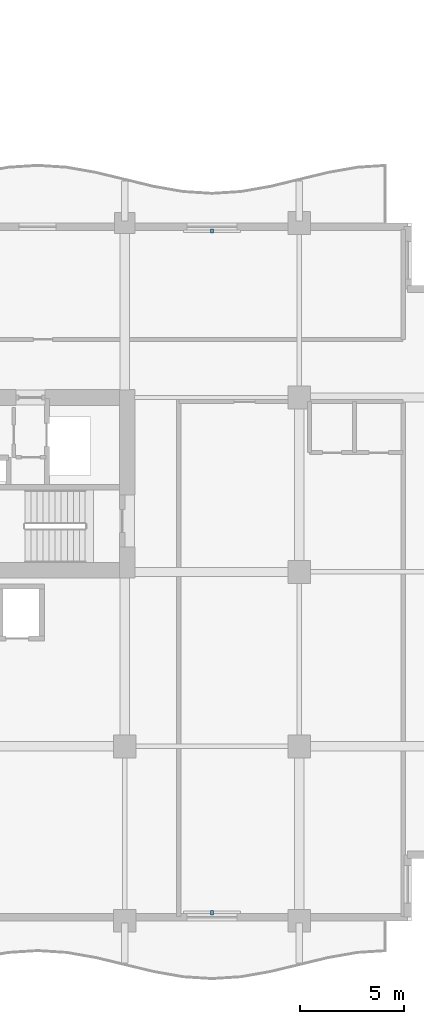
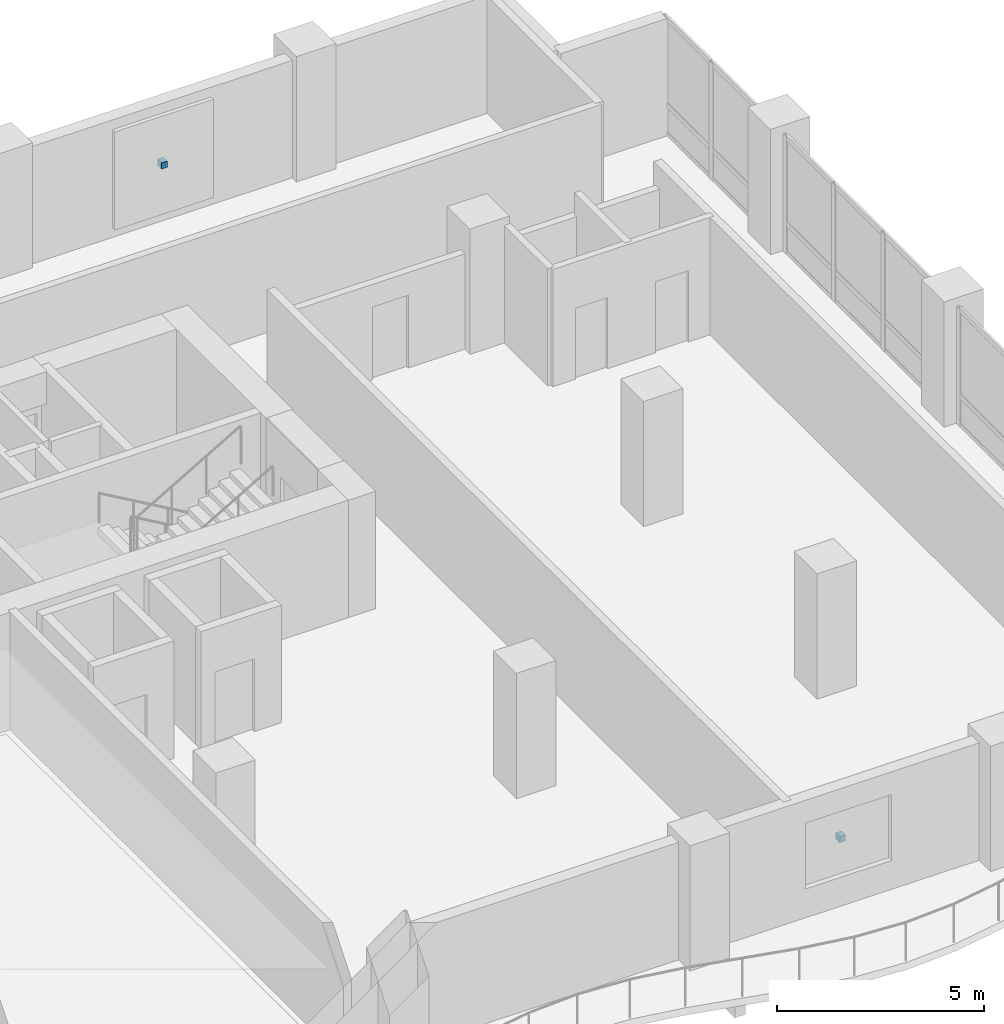
# One storey, part 17 of 22: 2 discrete accessories.
"""IFC4 building model written with IfcOpenShell, lengths in metres."""

from ifc_helpers import new_model, si_unit, direction, frame, origin, origin_2d, place, context, subcontext, project, spatial, rectangle, extrude, material, type_object, element, save


model = new_model("IFC4")

# Units and contexts
model_context = context("Model", 3, precision=1e-05, world=origin(), true_north=direction((0.0, 1.0)))
body_context = subcontext(model_context, "Body", "Model", "MODEL_VIEW")
ifc_project = project(units=[si_unit("LENGTHUNIT", "METRE"), si_unit("AREAUNIT", "SQUARE_METRE"), si_unit("VOLUMEUNIT", "CUBIC_METRE"), si_unit("PLANEANGLEUNIT", "RADIAN"), si_unit("MASSUNIT", "GRAM", prefix="KILO")], contexts=[model_context])

# Site, building, storey
site_placement = place(None, origin())
site = spatial("IfcSite", under=ifc_project, at=site_placement, CompositionType="ELEMENT")
building_placement = place(site_placement, origin())
building = spatial("IfcBuilding", under=site, at=building_placement, Name="Koriwani Terraces Tower", CompositionType="ELEMENT")
storey_placement = place(building_placement, frame((0.0, 0.0, 168.0)))
storey = spatial("IfcBuildingStorey", under=building, at=storey_placement, Name="L40", CompositionType="ELEMENT", Elevation=168.0)

# Discrete accessories
ifc_material = material(Name="Steel ASTM A572 Grade 50", Category="steel")
discrete_accessory_type = type_object("IfcDiscreteAccessoryType", Name="BAGUETTE_STANDOFF_BRACKET", PredefinedType="BRACKET", material=ifc_material)
for number, where, z_axis, x_axis, name in (
    (1, (63.0, 33.2099609375, 1.64501953125), (0.0, 0.0, 1.0), (1.0, 0.0, 0.0), "L40 Terracotta Baguette Bracket (NE-11)"),
    (2, (63.0, 0.389892578125, 1.64501953125), (0.0, 0.0, 1.0), (-1.0, 0.0, 0.0), "L40 Terracotta Baguette Bracket (S-21)"),
):
    element("IfcDiscreteAccessory", number, at=place(storey_placement, frame(where, z_axis=z_axis, x_axis=x_axis)), inside=storey, type_object=discrete_accessory_type, Name=name, PredefinedType="BRACKET", context=body_context, shape_type="SweptSolid", body=[
        extrude(rectangle(XDim=0.159912109375, YDim=0.199951171875, at=origin_2d()), origin(), (0.0, 0.0, 1.0), 0.179931640625),
    ])

save(model, "model.ifc")
